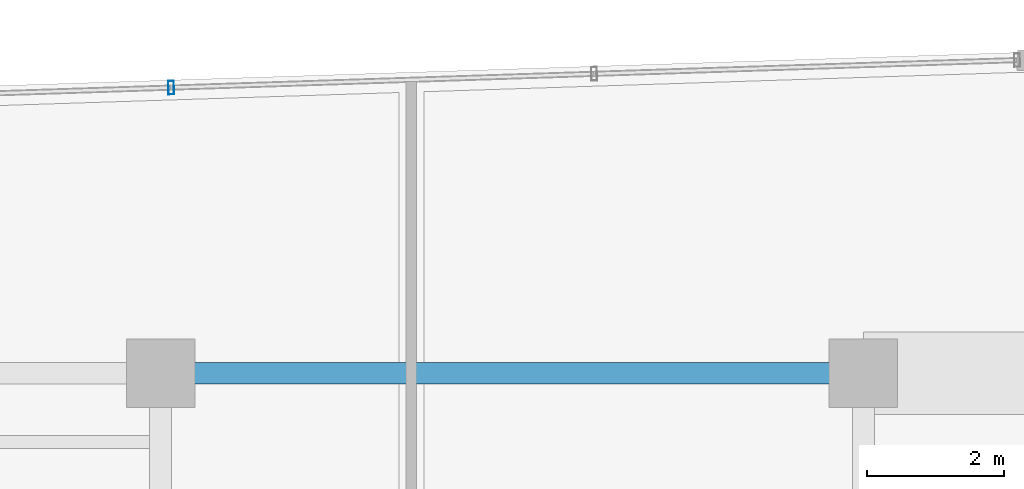
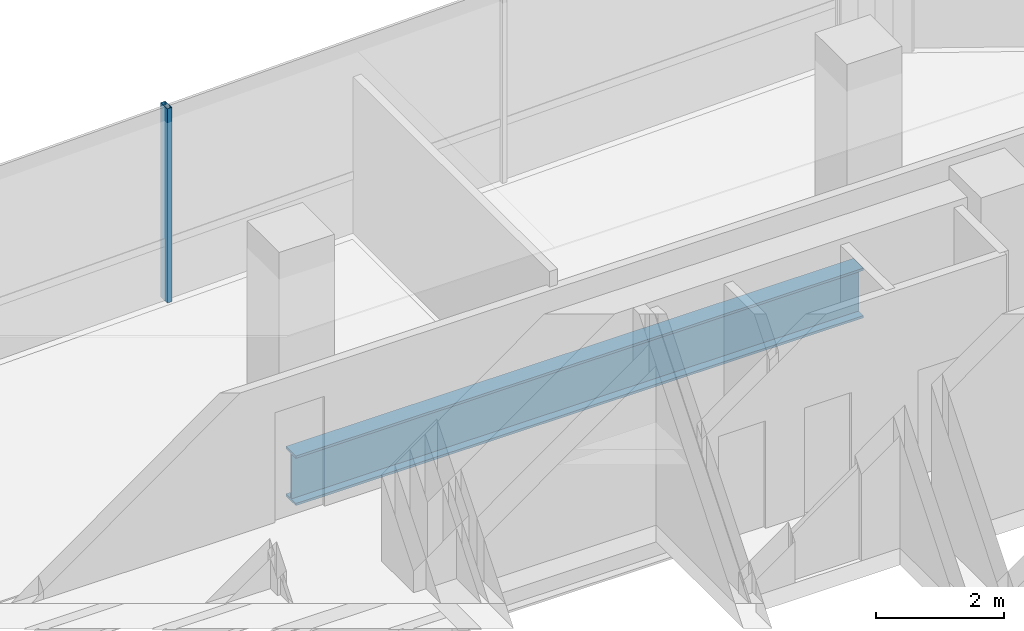
# One storey, part 19 of 35: 1 beam, 1 member, 1 element without a shape of its own.
"""IFC4 building model written with IfcOpenShell, lengths in metres."""

import ifcopenshell
import ifcopenshell.guid

model = None  # the IFC model being written
_history = None  # IfcOwnerHistory: only IFC2X3 demands one
_inside = {}  # id of a spatial element -> (the spatial element, [elements in it])
_under = {}  # id of a project, library or spatial element -> (it, [spatial elements below it])
_declared = {}  # id of a project -> (the project, [libraries it declares])
_typed = {}  # id of a type object -> (the type object, [elements of that type])
_made_of = {}  # id of a material, layer set ... -> (it, [elements and type objects made of it])


def new_model(schema):
    """Start an empty IFC model of exactly this schema.

    Asked for "IFC4X3", IfcOpenShell would pick the latest addendum, in which some entities
    have other attributes; the version numbers below select the first issue.
    IFC2X3 requires an IfcOwnerHistory on every rooted entity: one is made here for all.
    """
    global model, _history
    if schema == "IFC4X3":
        model = ifcopenshell.file(schema_version=(4, 3, 0, 0))
    else:
        model = ifcopenshell.file(schema=schema)
    _inside.clear()
    _under.clear()
    _declared.clear()
    _typed.clear()
    _made_of.clear()
    _history = None
    if model.schema == "IFC2X3":
        org = make("IfcOrganization", Name="unknown")
        user = make(
            "IfcPersonAndOrganization",
            ThePerson=make("IfcPerson", FamilyName="unknown"),
            TheOrganization=org,
        )
        app = make(
            "IfcApplication",
            ApplicationDeveloper=org,
            Version="unknown",
            ApplicationFullName="unknown",
            ApplicationIdentifier="unknown",
        )
        _history = make(
            "IfcOwnerHistory",
            OwningUser=user,
            OwningApplication=app,
            ChangeAction="ADDED",
            CreationDate=0,
        )
    return model


def make(cls, **values):
    """One entity of the class cls with the attributes given. An attribute that is None is left unset."""
    return model.create_entity(
        cls, **{name: value for name, value in values.items() if value is not None}
    )


def rooted(cls, **values):
    """An entity with a GlobalId (a new one), such as an element, a storey or a relation."""
    return make(cls, GlobalId=ifcopenshell.guid.new(), OwnerHistory=_history, **values)


def si_unit(unit_type, name, prefix=None):
    """IfcSIUnit, for example si_unit("LENGTHUNIT", "METRE", prefix="MILLI")."""
    return make("IfcSIUnit", UnitType=unit_type, Prefix=prefix, Name=name)


def assignment(units):
    """IfcUnitAssignment: the units of a project."""
    return None if units is None else make("IfcUnitAssignment", Units=units)


def point(xyz):
    """IfcCartesianPoint."""
    return None if xyz is None else make("IfcCartesianPoint", Coordinates=xyz)


def direction(xyz):
    """IfcDirection."""
    return None if xyz is None else make("IfcDirection", DirectionRatios=xyz)


def frame(location, z_axis=None, x_axis=None):
    """IfcAxis2Placement3D, a coordinate frame: its origin and axes. An axis left out is left unset."""
    return make(
        "IfcAxis2Placement3D",
        Location=point(location),
        Axis=direction(z_axis),
        RefDirection=direction(x_axis),
    )


def frame_2d(location, x_axis=None):
    """IfcAxis2Placement2D, a coordinate frame in the plane: its origin and x axis."""
    return make(
        "IfcAxis2Placement2D", Location=point(location), RefDirection=direction(x_axis)
    )


def origin():
    """The frame at (0, 0, 0) with its axes left unset."""
    return frame((0.0, 0.0, 0.0))


def origin_2d():
    """The frame at (0, 0) in the plane with its x axis left unset."""
    return frame_2d((0.0, 0.0))


def place(relative_to, where):
    """IfcLocalPlacement: puts the frame where relative to a parent placement (None: the world)."""
    return make(
        "IfcLocalPlacement", PlacementRelTo=relative_to, RelativePlacement=where
    )


def context(
    kind, dimensions, precision=None, world=None, true_north=None, identifier=None
):
    """IfcGeometricRepresentationContext, for example the 3D "Model" context."""
    return make(
        "IfcGeometricRepresentationContext",
        ContextIdentifier=identifier,
        ContextType=kind,
        CoordinateSpaceDimension=dimensions,
        Precision=precision,
        WorldCoordinateSystem=world,
        TrueNorth=true_north,
    )


def subcontext(parent, identifier, kind, view, scale=None):
    """IfcGeometricRepresentationSubContext, for example "Body" below "Model"."""
    return make(
        "IfcGeometricRepresentationSubContext",
        ContextIdentifier=identifier,
        ContextType=kind,
        ParentContext=parent,
        TargetScale=scale,
        TargetView=view,
    )


def project(units=None, contexts=None):
    """IfcProject with its units and contexts."""
    return rooted(
        "IfcProject",
        Name="project",
        RepresentationContexts=contexts,
        UnitsInContext=assignment(units),
    )


def spatial(cls, under=None, at=None, **own):
    """A site, building, storey or space (cls), placed at a placement, below another one or the project."""
    s = rooted(cls, ObjectPlacement=at, **own)
    if under is not None:
        _under.setdefault(under.id(), (under, []))[1].append(s)
    return s


def profile(cls, at=None, kind="AREA", **sizes):
    """A parametric profile (cls). Its sizes go by their IFC names, for example OverallWidth=200.0."""
    return make(cls, ProfileType=kind, Position=at, **sizes)


def hollow_rectangle(**sizes):
    """IfcRectangleHollowProfileDef."""
    return profile("IfcRectangleHollowProfileDef", **sizes)


def i_section(**sizes):
    """IfcIShapeProfileDef."""
    return profile("IfcIShapeProfileDef", **sizes)


def extrude(swept, where, along, depth):
    """IfcExtrudedAreaSolid: the profile swept, set in the frame where, extruded along a direction by depth."""
    return make(
        "IfcExtrudedAreaSolid",
        SweptArea=swept,
        Position=where,
        ExtrudedDirection=direction(along),
        Depth=depth,
    )


def shape(context_of_items, identifier, shape_type, items):
    """IfcShapeRepresentation: the items that make up one representation, for example the "Body"."""
    return make(
        "IfcShapeRepresentation",
        ContextOfItems=context_of_items,
        RepresentationIdentifier=identifier,
        RepresentationType=shape_type,
        Items=items,
    )


def source(mapping_origin, context_of_items, identifier, shape_type, items):
    """IfcRepresentationMap: a shape defined once, which mapped items show again and again."""
    return make(
        "IfcRepresentationMap",
        MappingOrigin=mapping_origin,
        MappedRepresentation=shape(context_of_items, identifier, shape_type, items),
    )


def transform(
    local_origin,
    x_axis=None,
    y_axis=None,
    z_axis=None,
    scale=None,
    scale2=None,
    scale3=None,
    uniform=True,
):
    """IfcCartesianTransformationOperator3D, or its non-uniform kind. x_axis, y_axis, z_axis: its Axis1, 2, 3."""
    if uniform:
        return make(
            "IfcCartesianTransformationOperator3D",
            Axis1=direction(x_axis),
            Axis2=direction(y_axis),
            LocalOrigin=point(local_origin),
            Scale=scale,
            Axis3=direction(z_axis),
        )
    return make(
        "IfcCartesianTransformationOperator3DnonUniform",
        Axis1=direction(x_axis),
        Axis2=direction(y_axis),
        LocalOrigin=point(local_origin),
        Scale=scale,
        Axis3=direction(z_axis),
        Scale2=scale2,
        Scale3=scale3,
    )


def mapped(mapping_source, mapping_target):
    """IfcMappedItem: shows the shape of a source again, moved by a transform."""
    return make(
        "IfcMappedItem", MappingSource=mapping_source, MappingTarget=mapping_target
    )


def material(Name=None, Category=None):
    """IfcMaterial."""
    return make("IfcMaterial", Name=Name, Category=Category)


def material_profile(
    of_material, cross_section, Name=None, Category=None, Priority=None
):
    """IfcMaterialProfile: a cross section and its material."""
    return make(
        "IfcMaterialProfile",
        Name=Name,
        Material=of_material,
        Profile=cross_section,
        Priority=Priority,
        Category=Category,
    )


def profile_set(profiles, Name=None, composite=None):
    """IfcMaterialProfileSet."""
    return make(
        "IfcMaterialProfileSet",
        Name=Name,
        MaterialProfiles=profiles,
        CompositeProfile=composite,
    )


def made_of(thing, what):
    """Note that an element or type object is made of a material, layer set ...; save() writes the relation."""
    if what is not None:
        _made_of.setdefault(what.id(), (what, []))[1].append(thing)
    return thing


def type_object(cls, material=None, **own):
    """A type object (cls), such as IfcWallType, which elements share."""
    return made_of(rooted(cls, **own), material)


def element(
    cls,
    number,
    at=None,
    inside=None,
    cuts=None,
    type_object=None,
    material=None,
    context=None,
    identifier="Body",
    shape_type=None,
    held_by="IfcProductDefinitionShape",
    body=None,
    shapes=None,
    **own,
):
    """One element of the class cls, such as IfcWall. Its Tag is "e" and its number.

    at: its placement. inside: the storey or other place that contains it. cuts: it is an
    opening in that element (IfcRelVoidsElement). A single representation is given by context,
    identifier, shape_type and body (its items); several are given by shapes. held_by: the class
    of the entity that holds the representations. save() writes the other relations.
    """
    e = rooted(cls, Tag="e%d" % number, ObjectPlacement=at, **own)
    if body is not None:
        shapes = [shape(context, identifier, shape_type, body)]
    if shapes is not None:
        e.Representation = make(held_by, Representations=shapes)
    if inside is not None:
        _inside.setdefault(inside.id(), (inside, []))[1].append(e)
    if cuts is not None:
        rooted(
            "IfcRelVoidsElement", RelatingBuildingElement=cuts, RelatedOpeningElement=e
        )
    if type_object is not None:
        _typed.setdefault(type_object.id(), (type_object, []))[1].append(e)
    return made_of(e, material)


def aggregate(whole, parts):
    """IfcRelAggregates: a whole, such as a stair, and the parts it consists of."""
    return rooted("IfcRelAggregates", RelatingObject=whole, RelatedObjects=parts)


def save(model, path):
    """Write the relations noted so far, then the file.

    IfcRelAggregates (storeys below a building ...), IfcRelContainedInSpatialStructure (elements
    in a storey), IfcRelDefinesByType, IfcRelAssociatesMaterial and IfcRelDeclares: one each for
    every whole, place, type object, material and project.
    """
    for whole, parts in _under.values():
        aggregate(whole, parts)
    for where, things in _inside.values():
        rooted(
            "IfcRelContainedInSpatialStructure",
            RelatedElements=things,
            RelatingStructure=where,
        )
    for kind, things in _typed.values():
        rooted("IfcRelDefinesByType", RelatedObjects=things, RelatingType=kind)
    for what, things in _made_of.values():
        rooted("IfcRelAssociatesMaterial", RelatedObjects=things, RelatingMaterial=what)
    for by, libraries in _declared.values():
        rooted("IfcRelDeclares", RelatingContext=by, RelatedDefinitions=libraries)
    model.write(path)


model = new_model("IFC4")

# Units and contexts
model_context = context("Model", 3, precision=1e-05, world=origin(), true_north=direction((0.0, 1.0)))
body_context = subcontext(model_context, "Body", "Model", "MODEL_VIEW")
ifc_project = project(units=[si_unit("LENGTHUNIT", "METRE"), si_unit("AREAUNIT", "SQUARE_METRE"), si_unit("VOLUMEUNIT", "CUBIC_METRE"), si_unit("PLANEANGLEUNIT", "RADIAN"), si_unit("MASSUNIT", "GRAM", prefix="KILO")], contexts=[model_context])

# Site, building, storey
site_placement = place(None, origin())
site = spatial("IfcSite", under=ifc_project, at=site_placement, CompositionType="ELEMENT")
building_placement = place(site_placement, origin())
building = spatial("IfcBuilding", under=site, at=building_placement, Name="Valdorenza Pilgrim Sanctuary Tower", CompositionType="ELEMENT")
storey_placement = place(building_placement, frame((0.0, 0.0, 192.35009765625)))
storey = spatial("IfcBuildingStorey", under=building, at=storey_placement, Name="L49", CompositionType="ELEMENT", Elevation=192.35009765625)

# Beam
ifc_material_1 = material(Name="Steel ASTM A992 Grade 50", Category="steel")
ifc_material_profile_1 = material_profile(ifc_material_1, i_section(OverallWidth=0.31005859375, OverallDepth=0.949951171875, WebThickness=0.0244140625, FlangeThickness=0.0439453125, at=origin_2d()), Name="W36X256")
ifc_profile_set_1 = profile_set([ifc_material_profile_1], Name="Steel ASTM A992 Grade 50")
beam_type = type_object("IfcBeamType", Name="STR-BM-GRD-W36B", PredefinedType="BEAM", material=ifc_profile_set_1)
shared_shape_1 = source(origin(), body_context, "Body", "SweptSolid", [
    extrude(i_section(OverallWidth=0.31005859375, OverallDepth=0.949951171875, WebThickness=0.0244140625, FlangeThickness=0.0439453125, at=origin_2d()), origin(), (0.0, 0.0, 1.0), 10.25),
])
beam_placement = place(storey_placement, frame((-22.64990234375, 14.800048828125, -0.795166015625), z_axis=(1.0, 0.0, 0.0), x_axis=(0.0, 1.0, 0.0)))
element("IfcBeam", 1, at=beam_placement, inside=storey, type_object=beam_type, Name="L49 Floor Girder CA-XC-N2", PredefinedType="BEAM", context=body_context, shape_type="MappedRepresentation", body=[
    mapped(shared_shape_1, transform((0.0, 0.0, 0.0), x_axis=(1.0, 0.0, 0.0), y_axis=(0.0, 1.0, 0.0), z_axis=(0.0, 0.0, 1.0), scale=1.0)),
])

# Curtain wall, member
ifc_material_2 = material(Name="Curtain-wall IGU glazing", Category="glass")
curtain_wall_type = type_object("IfcCurtainWallType", Name="CW-SYS-02", PredefinedType="NOTDEFINED", material=ifc_material_2)
curtain_wall_placement = place(storey_placement, origin())
curtain_wall = element("IfcCurtainWall", 2, at=curtain_wall_placement, inside=storey, type_object=curtain_wall_type, Name="L49 Curtain Wall CW-L49-1-6", PredefinedType="NOTDEFINED")
ifc_material_3 = material(Name="Anodised aluminium AW-6060", Category="aluminium")
ifc_material_profile_2 = material_profile(ifc_material_3, hollow_rectangle(XDim=0.0849609375, YDim=0.199951171875, WallThickness=0.0048828125, at=origin_2d()), Name="ALU-M 200x85x5")
ifc_profile_set_2 = profile_set([ifc_material_profile_2], Name="Anodised aluminium AW-6060")
member_type = type_object("IfcMemberType", Name="CW-MUL-02", PredefinedType="MULLION", material=ifc_profile_set_2)
shared_shape_2 = source(origin(), body_context, "Body", "SweptSolid", [
    extrude(hollow_rectangle(XDim=0.0849609375, YDim=0.199951171875, WallThickness=0.0048828125, at=origin_2d()), origin(), (0.0, 0.0, 1.0), 3.7099609375),
])
member_placement = place(storey_placement, frame((-22.495361328125, 18.966796875, 0.0), z_axis=(0.0, 0.0, 1.0), x_axis=(0.999470282811, 0.032544642846, 0.0)))
member = element("IfcMember", 3, at=member_placement, type_object=member_type, Name="CW-L49-1-6 Mullion 2", PredefinedType="MULLION", context=body_context, shape_type="MappedRepresentation", body=[
    mapped(shared_shape_2, transform((0.0, 0.0, 0.0), x_axis=(1.0, 0.0, 0.0), y_axis=(0.0, 1.0, 0.0), z_axis=(0.0, 0.0, 1.0), scale=1.0)),
])
aggregate(curtain_wall, [member])

save(model, "model.ifc")
